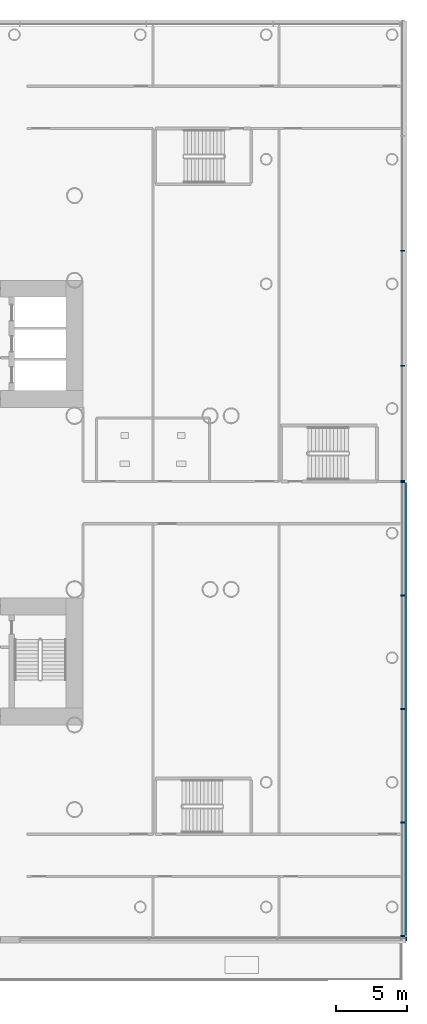
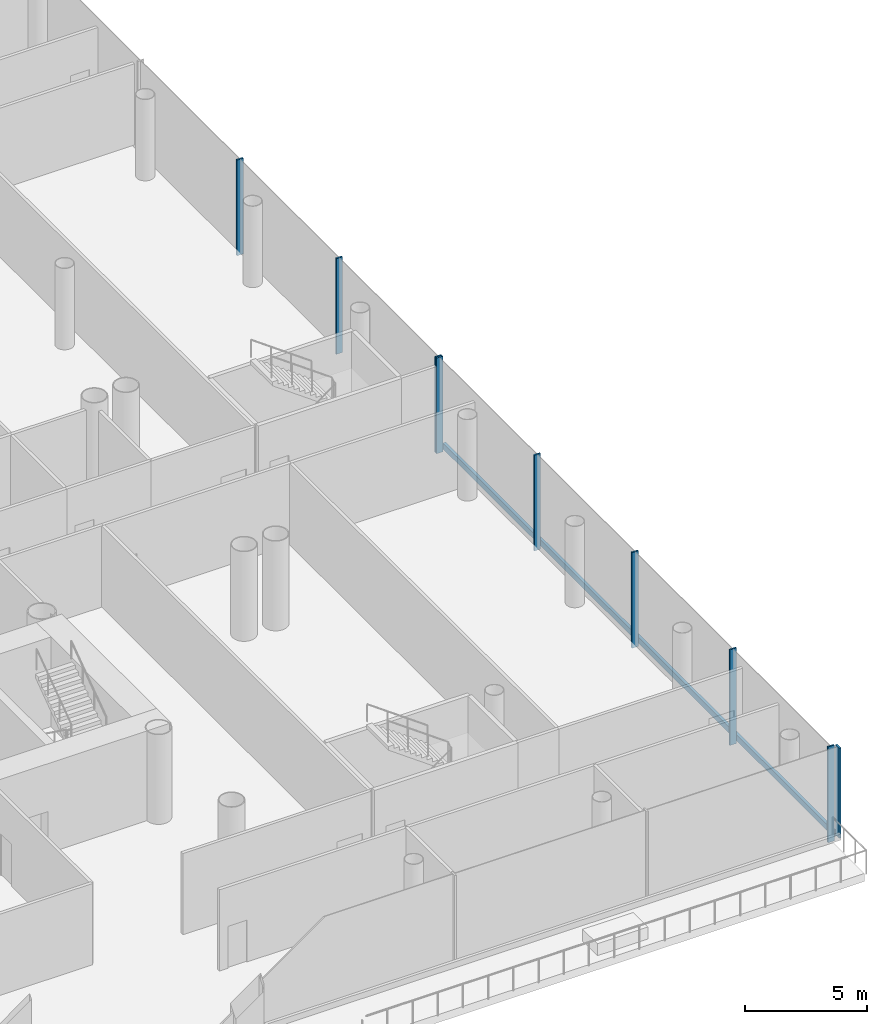
# One storey, part 13 of 49: 10 members, 3 elements without a shape of their own.
"""IFC4 building model written with IfcOpenShell, lengths in metres."""

from ifc_helpers import new_model, si_unit, direction, frame, origin, origin_2d, place, context, subcontext, project, spatial, rectangle, extrude, material, layer, layer_set, material_profile, profile_set, type_object, element, aggregate, save


model = new_model("IFC4")

# Units and contexts
model_context = context("Model", 3, precision=1e-05, world=origin(), true_north=direction((0.0, 1.0)))
body_context = subcontext(model_context, "Body", "Model", "MODEL_VIEW")
ifc_project = project(units=[si_unit("LENGTHUNIT", "METRE"), si_unit("AREAUNIT", "SQUARE_METRE"), si_unit("VOLUMEUNIT", "CUBIC_METRE"), si_unit("PLANEANGLEUNIT", "RADIAN"), si_unit("MASSUNIT", "GRAM", prefix="KILO")], contexts=[model_context])

# Site, building, storey
site_placement = place(None, origin())
site = spatial("IfcSite", under=ifc_project, at=site_placement, CompositionType="ELEMENT")
building_placement = place(site_placement, origin())
building = spatial("IfcBuilding", under=site, at=building_placement, Name="Ipe Terrace Towers", CompositionType="ELEMENT")
storey_placement = place(building_placement, frame((0.0, 0.0, 20.0)))
storey = spatial("IfcBuildingStorey", under=building, at=storey_placement, Name="L04", CompositionType="ELEMENT", Elevation=20.0)

# Curtain wall, members
ifc_material_1 = material(Name="Aluminium alloy 6063-T6", Category="aluminium")
ifc_layer = layer(ifc_material_1, 0.43994140625)
ifc_layer_set = layer_set([ifc_layer], Name="PODIUM GLAZING CURTAIN WALL")
curtain_wall_type = type_object("IfcCurtainWallType", Name="PODIUM GLAZING CURTAIN WALL", PredefinedType="NOTDEFINED", material=ifc_layer_set)
curtain_wall_1_placement = place(storey_placement, origin())
curtain_wall_1 = element("IfcCurtainWall", 1, at=curtain_wall_1_placement, inside=storey, type_object=curtain_wall_type, Name="POD-CW-L04-00a curtain wall", PredefinedType="NOTDEFINED")
ifc_material_2 = material(Name="Aluminium alloy 6063-T6", Category="aluminium")
ifc_material_profile_1 = material_profile(ifc_material_2, rectangle(XDim=0.300048828125, YDim=0.080078125, at=origin_2d()), Name="PODIUM GLAZING MULLION 300 x 80")
ifc_profile_set_1 = profile_set([ifc_material_profile_1], Name="Aluminium alloy 6063-T6")
member_type_1 = type_object("IfcMemberType", Name="PODIUM GLAZING MULLION 300 x 80", PredefinedType="MULLION", material=ifc_profile_set_1)
member_1_placement = place(storey_placement, frame((65.39990234375, -30.7099609375, -0.300048828125), z_axis=(0.0, 0.0, 1.0), x_axis=(1.0, 0.0, 0.0)))
member_1 = element("IfcMember", 2, at=member_1_placement, type_object=member_type_1, Name="POD-CW-L04-00a mullion 1", PredefinedType="MULLION", context=body_context, shape_type="SweptSolid", body=[
    extrude(rectangle(XDim=0.300048828125, YDim=0.080078125, at=origin_2d()), origin(), (0.0, 0.0, 1.0), 4.800048828125),
])
member_2_placement = place(storey_placement, frame((65.39990234375, -22.66748046875, -0.300048828125), z_axis=(0.0, 0.0, 1.0), x_axis=(1.0, 0.0, 0.0)))
member_2 = element("IfcMember", 3, at=member_2_placement, type_object=member_type_1, Name="POD-CW-L04-00a mullion 2", PredefinedType="MULLION", context=body_context, shape_type="SweptSolid", body=[
    extrude(rectangle(XDim=0.300048828125, YDim=0.080078125, at=origin_2d()), origin(), (0.0, 0.0, 1.0), 4.800048828125),
])
member_3_placement = place(storey_placement, frame((65.39990234375, -14.625, -0.300048828125), z_axis=(0.0, 0.0, 1.0), x_axis=(1.0, 0.0, 0.0)))
member_3 = element("IfcMember", 4, at=member_3_placement, type_object=member_type_1, Name="POD-CW-L04-00a mullion 3", PredefinedType="MULLION", context=body_context, shape_type="SweptSolid", body=[
    extrude(rectangle(XDim=0.300048828125, YDim=0.080078125, at=origin_2d()), origin(), (0.0, 0.0, 1.0), 4.800048828125),
])
member_4_placement = place(storey_placement, frame((65.39990234375, -6.58251953125, -0.300048828125), z_axis=(0.0, 0.0, 1.0), x_axis=(1.0, 0.0, 0.0)))
member_4 = element("IfcMember", 5, at=member_4_placement, type_object=member_type_1, Name="POD-CW-L04-00a mullion 4", PredefinedType="MULLION", context=body_context, shape_type="SweptSolid", body=[
    extrude(rectangle(XDim=0.300048828125, YDim=0.080078125, at=origin_2d()), origin(), (0.0, 0.0, 1.0), 4.800048828125),
])
member_5_placement = place(storey_placement, frame((65.39990234375, 1.4599609375, -0.300048828125), z_axis=(0.0, 0.0, 1.0), x_axis=(1.0, 0.0, 0.0)))
member_5 = element("IfcMember", 6, at=member_5_placement, type_object=member_type_1, Name="POD-CW-L04-00a mullion 5", PredefinedType="MULLION", context=body_context, shape_type="SweptSolid", body=[
    extrude(rectangle(XDim=0.300048828125, YDim=0.080078125, at=origin_2d()), origin(), (0.0, 0.0, 1.0), 4.800048828125),
])

curtain_wall_2_placement = place(storey_placement, origin())
curtain_wall_2 = element("IfcCurtainWall", 7, at=curtain_wall_2_placement, inside=storey, type_object=curtain_wall_type, Name="POD-CW-L04-00b curtain wall", PredefinedType="NOTDEFINED")
member_6_placement = place(storey_placement, frame((65.39990234375, 1.5400390625, -0.300048828125), z_axis=(0.0, 0.0, 1.0), x_axis=(1.0, 0.0, 0.0)))
member_6 = element("IfcMember", 8, at=member_6_placement, type_object=member_type_1, Name="POD-CW-L04-00b mullion 1", PredefinedType="MULLION", context=body_context, shape_type="SweptSolid", body=[
    extrude(rectangle(XDim=0.300048828125, YDim=0.080078125, at=origin_2d()), origin(), (0.0, 0.0, 1.0), 4.800048828125),
])
member_7_placement = place(storey_placement, frame((65.39990234375, 9.6923828125, -0.300048828125), z_axis=(0.0, 0.0, 1.0), x_axis=(1.0, 0.0, 0.0)))
member_7 = element("IfcMember", 9, at=member_7_placement, type_object=member_type_1, Name="POD-CW-L04-00b mullion 2", PredefinedType="MULLION", context=body_context, shape_type="SweptSolid", body=[
    extrude(rectangle(XDim=0.300048828125, YDim=0.080078125, at=origin_2d()), origin(), (0.0, 0.0, 1.0), 4.800048828125),
])
member_8_placement = place(storey_placement, frame((65.39990234375, 17.844970703125, -0.300048828125), z_axis=(0.0, 0.0, 1.0), x_axis=(1.0, 0.0, 0.0)))
member_8 = element("IfcMember", 10, at=member_8_placement, type_object=member_type_1, Name="POD-CW-L04-00b mullion 3", PredefinedType="MULLION", context=body_context, shape_type="SweptSolid", body=[
    extrude(rectangle(XDim=0.300048828125, YDim=0.080078125, at=origin_2d()), origin(), (0.0, 0.0, 1.0), 4.800048828125),
])
aggregate(curtain_wall_2, [member_6, member_7, member_8])

# Curtain wall, member
curtain_wall_3_placement = place(storey_placement, origin())
curtain_wall_3 = element("IfcCurtainWall", 11, at=curtain_wall_3_placement, inside=storey, type_object=curtain_wall_type, Name="POD-CW-L04-03f curtain wall", PredefinedType="NOTDEFINED")
member_9_placement = place(storey_placement, frame((65.64990234375, -30.89990234375, -0.02001953125), z_axis=(0.0, 0.0, 1.0), x_axis=(0.0, -1.0, 0.0)))
member_9 = element("IfcMember", 12, at=member_9_placement, type_object=member_type_1, Name="POD-CW-L04-03f mullion 4", PredefinedType="MULLION", context=body_context, shape_type="SweptSolid", body=[
    extrude(rectangle(XDim=0.300048828125, YDim=0.080078125, at=origin_2d()), origin(), (0.0, 0.0, 1.0), 4.52001953125),
])
aggregate(curtain_wall_3, [member_9])

# Member
ifc_material_3 = material(Name="Aluminium alloy 6063-T6", Category="aluminium")
ifc_material_profile_2 = material_profile(ifc_material_3, rectangle(XDim=0.139892578125, YDim=0.300048828125, at=origin_2d()), Name="PODIUM GLAZING TRANSOM 140 x 300")
ifc_profile_set_2 = profile_set([ifc_material_profile_2], Name="Aluminium alloy 6063-T6")
member_type_2 = type_object("IfcMemberType", Name="PODIUM GLAZING TRANSOM 140 x 300", PredefinedType="USERDEFINED", material=ifc_profile_set_2)
member_10_placement = place(storey_placement, frame((65.6201171875, -30.669921875, 0.0), z_axis=(0.0, 1.0, 0.0), x_axis=(1.0, 0.0, 0.0)))
member_10 = element("IfcMember", 13, at=member_10_placement, type_object=member_type_2, Name="POD-CW-L04-00a transom", ObjectType="TRANSOM", PredefinedType="USERDEFINED", context=body_context, shape_type="SweptSolid", body=[
    extrude(rectangle(XDim=0.139892578125, YDim=0.300048828125, at=origin_2d()), origin(), (0.0, 0.0, 1.0), 32.08984375),
])

aggregate(curtain_wall_1, [member_1, member_2, member_3, member_4, member_5, member_10])

save(model, "model.ifc")
